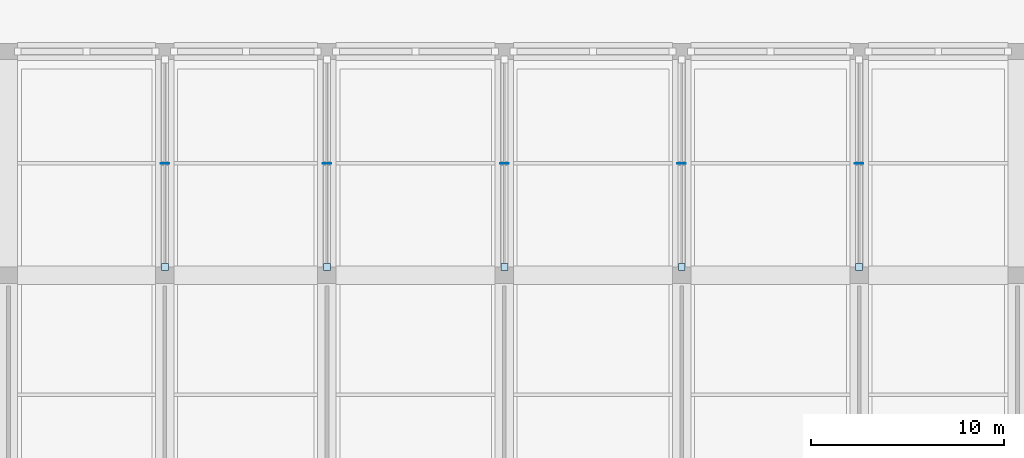
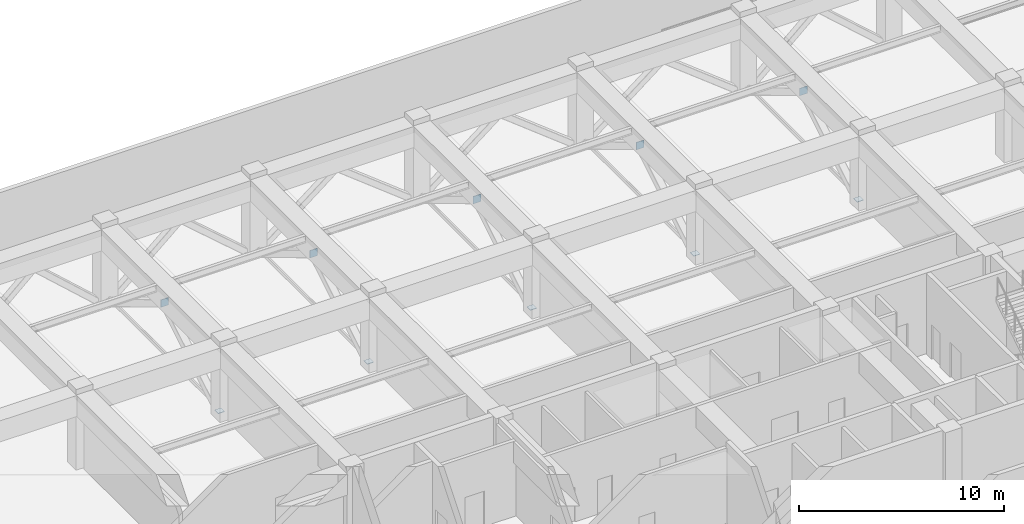
# One storey, part 5 of 22: 10 plates.
"""IFC4 building model written with IfcOpenShell, lengths in metres."""

from ifc_helpers import new_model, si_unit, direction, frame, origin, origin_2d, place, context, subcontext, project, spatial, rectangle, extrude, material, layer, layer_set, type_object, element, save


model = new_model("IFC4")

# Units and contexts
model_context = context("Model", 3, precision=1e-05, world=origin(), true_north=direction((0.0, 1.0)))
body_context = subcontext(model_context, "Body", "Model", "MODEL_VIEW")
ifc_project = project(units=[si_unit("LENGTHUNIT", "METRE"), si_unit("AREAUNIT", "SQUARE_METRE"), si_unit("VOLUMEUNIT", "CUBIC_METRE"), si_unit("PLANEANGLEUNIT", "RADIAN"), si_unit("MASSUNIT", "GRAM", prefix="KILO")], contexts=[model_context])

# Site, building, storey
site_placement = place(None, origin())
site = spatial("IfcSite", under=ifc_project, at=site_placement, CompositionType="ELEMENT")
building_placement = place(site_placement, origin())
building = spatial("IfcBuilding", under=site, at=building_placement, Name="Korimba Cascade Residences", CompositionType="ELEMENT")
storey_placement = place(building_placement, frame((0.0, 0.0, 157.300048828125)))
storey = spatial("IfcBuildingStorey", under=building, at=storey_placement, Name="L45", CompositionType="ELEMENT", Elevation=157.300048828125)

# Plates
ifc_material = material(Name="Steel S460", Category="steel")
ifc_layer = layer(ifc_material, 0.028076171875)
ifc_layer_set = layer_set([ifc_layer], Name="Steel S460")
plate_type = type_object("IfcPlateType", Name="PLT-ENDCAP-28", PredefinedType="USERDEFINED", material=ifc_layer_set)
for number, where, z_axis, x_axis, name in (
    (1, (76.10009765625, 85.39990234375, 3.010009765625), (0.0, 0.0, 1.0), (1.0, 0.0, 0.0), "L45 Outrigger Node Plate ON1 1"),
    (2, (84.5, 85.39990234375, 3.010009765625), (0.0, 0.0, 1.0), (1.0, 0.0, 0.0), "L45 Outrigger Node Plate ON1 2"),
    (3, (93.699951171875, 85.39990234375, 3.010009765625), (0.0, 0.0, 1.0), (1.0, 0.0, 0.0), "L45 Outrigger Node Plate ON1 3"),
    (4, (102.89990234375, 85.39990234375, 3.010009765625), (0.0, 0.0, 1.0), (1.0, 0.0, 0.0), "L45 Outrigger Node Plate ON1 4"),
    (5, (112.10009765625, 85.39990234375, 3.010009765625), (0.0, 0.0, 1.0), (1.0, 0.0, 0.0), "L45 Outrigger Node Plate ON1 5"),
):
    element("IfcPlate", number, at=place(storey_placement, frame(where, z_axis=z_axis, x_axis=x_axis)), inside=storey, type_object=plate_type, Name=name, ObjectType="CAP PLATE", PredefinedType="USERDEFINED", context=body_context, shape_type="SweptSolid", body=[
        extrude(rectangle(XDim=0.43994140625, YDim=0.028076171875, at=origin_2d()), origin(), (0.0, 0.0, 1.0), 0.43994140625),
    ])
for number, where, z_axis, x_axis, name in (
    (6, (76.10009765625, 80.02490234375, 0.005859375), (0.0, 0.0, 1.0), (1.0, 0.0, 0.0), "L45 Brace Welded End Connection Plate 94"),
    (7, (84.5, 80.02490234375, 0.005859375), (0.0, 0.0, 1.0), (1.0, 0.0, 0.0), "L45 Brace Welded End Connection Plate 96"),
    (8, (93.699951171875, 80.02490234375, 0.005859375), (0.0, 0.0, 1.0), (1.0, 0.0, 0.0), "L45 Brace Welded End Connection Plate 98"),
    (9, (102.89990234375, 80.02490234375, 0.005859375), (0.0, 0.0, 1.0), (1.0, 0.0, 0.0), "L45 Brace Welded End Connection Plate 100"),
    (10, (112.10009765625, 80.02490234375, 0.005859375), (0.0, 0.0, 1.0), (1.0, 0.0, 0.0), "L45 Brace Welded End Connection Plate 102"),
):
    element("IfcPlate", number, at=place(storey_placement, frame(where, z_axis=z_axis, x_axis=x_axis)), inside=storey, type_object=plate_type, Name=name, ObjectType="CAP PLATE", PredefinedType="USERDEFINED", context=body_context, shape_type="SweptSolid", body=[
        extrude(rectangle(XDim=0.360107421875, YDim=0.360107421875, at=origin_2d()), origin(), (0.0, 0.0, 1.0), 0.028076171875),
    ])

save(model, "model.ifc")
